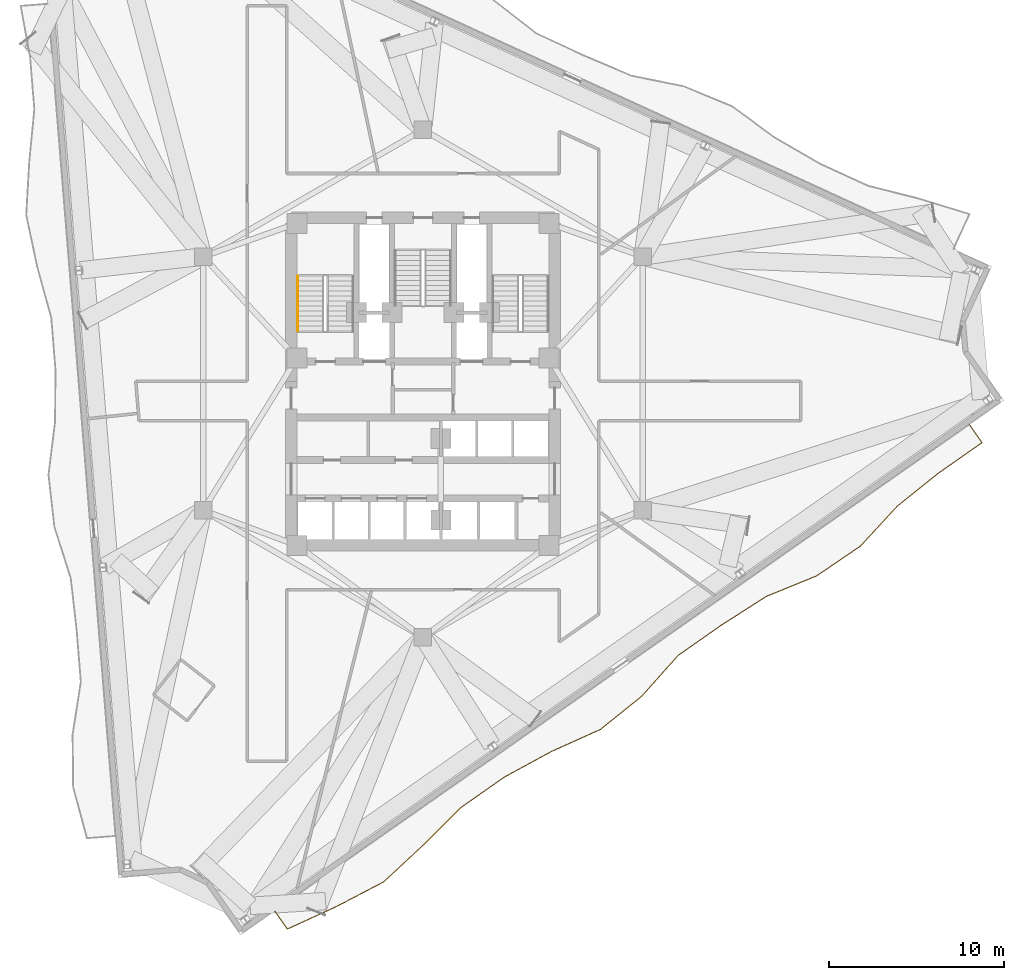
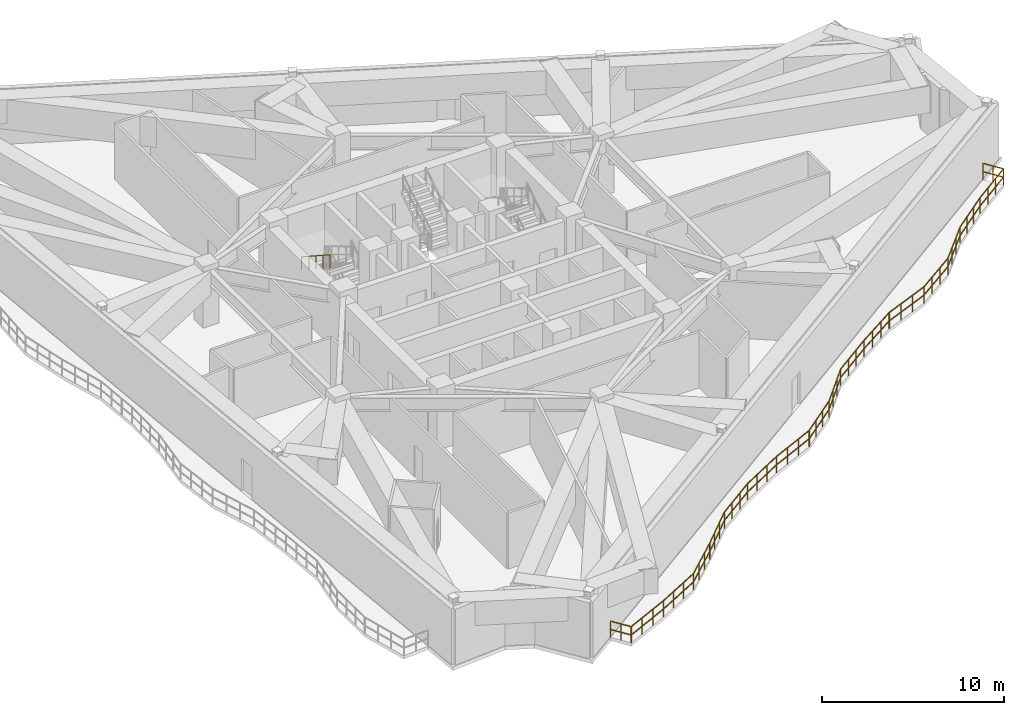
# One storey, part 12 of 14: 2 railings.
"""IFC4 building model written with IfcOpenShell, lengths in metres."""

from ifc_helpers import new_model, si_unit, direction, frame, origin, origin_2d, place, context, subcontext, project, spatial, rectangle, extrude, material, type_object, element, save


model = new_model("IFC4")

# Units and contexts
model_context = context("Model", 3, precision=1e-05, world=origin(), true_north=direction((0.0, 1.0)))
body_context = subcontext(model_context, "Body", "Model", "MODEL_VIEW")
ifc_project = project(units=[si_unit("LENGTHUNIT", "METRE"), si_unit("AREAUNIT", "SQUARE_METRE"), si_unit("VOLUMEUNIT", "CUBIC_METRE"), si_unit("PLANEANGLEUNIT", "RADIAN"), si_unit("MASSUNIT", "GRAM", prefix="KILO")], contexts=[model_context])

# Site, building, storey
site_placement = place(None, origin())
site = spatial("IfcSite", under=ifc_project, at=site_placement, CompositionType="ELEMENT")
building_placement = place(site_placement, origin())
building = spatial("IfcBuilding", under=site, at=building_placement, Name="Apsidion Concourse Tower", CompositionType="ELEMENT")
storey_placement = place(building_placement, frame((0.0, 0.0, 222.89990234375)))
storey = spatial("IfcBuildingStorey", under=building, at=storey_placement, Name="L52", CompositionType="ELEMENT", Elevation=222.89990234375)

# Railings
ifc_material = material(Name="Brushed stainless steel 316", Category="steel")
railing_type_1 = type_object("IfcRailingType", Name="RL-BAL-1120", PredefinedType="BALUSTRADE", material=ifc_material)
railing_1_placement = place(storey_placement, frame((31.23095703125, -2.356689453125, 0.0)))
element("IfcRailing", 1, at=railing_1_placement, inside=storey, type_object=railing_type_1, Name="L52 Face 2 Rippling Balcony Balustrade", PredefinedType="BALUSTRADE", context=body_context, shape_type="SweptSolid", body=[
    extrude(rectangle(XDim=0.048095703125, YDim=0.048095703125, at=origin_2d()), frame((0.0, 0.0, 1.09619140625), z_axis=(0.573619628835, -0.819121798889, 0.0), x_axis=(0.819121798889, 0.573619628835, 0.0)), (0.0, 0.0, 1.0), 1.25),
    extrude(rectangle(XDim=0.048095703125, YDim=0.048095703125, at=origin_2d()), frame((0.0, 0.0, 0.5361328125), z_axis=(0.573619628835, -0.819121798889, 0.0), x_axis=(0.819121798889, 0.573619628835, 0.0)), (0.0, 0.0, 1.0), 1.25),
    extrude(rectangle(XDim=0.048095703125, YDim=0.048095703125, at=origin_2d()), frame((0.717041015625, -1.02392578125, 1.09619140625), z_axis=(-0.819159967158, -0.573565121155, 0.0), x_axis=(0.573565121155, -0.819159967158, 0.0)), (0.0, 0.0, 1.0), 3.029052734375),
    extrude(rectangle(XDim=0.048095703125, YDim=0.048095703125, at=origin_2d()), frame((0.717041015625, -1.02392578125, 0.5361328125), z_axis=(-0.819159967158, -0.573565121155, 0.0), x_axis=(0.573565121155, -0.819159967158, 0.0)), (0.0, 0.0, 1.0), 3.029052734375),
    extrude(rectangle(XDim=0.048095703125, YDim=0.048095703125, at=origin_2d()), frame((-1.76416015625, -2.76123046875, 1.09619140625), z_axis=(-0.780169882579, -0.625567705621, 0.0), x_axis=(0.625567705621, -0.780169882579, 0.0)), (0.0, 0.0, 1.0), 3.03515625),
    extrude(rectangle(XDim=0.048095703125, YDim=0.048095703125, at=origin_2d()), frame((-1.76416015625, -2.76123046875, 0.5361328125), z_axis=(-0.780169882579, -0.625567705621, 0.0), x_axis=(0.625567705621, -0.780169882579, 0.0)), (0.0, 0.0, 1.0), 3.03515625),
    extrude(rectangle(XDim=0.048095703125, YDim=0.048095703125, at=origin_2d()), frame((-4.132080078125, -4.659912109375, 1.09619140625), z_axis=(-0.678188516871, -0.734887974854, 0.0), x_axis=(0.734887974854, -0.678188516871, 0.0)), (0.0, 0.0, 1.0), 3.100341796875),
    extrude(rectangle(XDim=0.048095703125, YDim=0.048095703125, at=origin_2d()), frame((-4.132080078125, -4.659912109375, 0.5361328125), z_axis=(-0.678188516871, -0.734887974854, 0.0), x_axis=(0.734887974854, -0.678188516871, 0.0)), (0.0, 0.0, 1.0), 3.100341796875),
    extrude(rectangle(XDim=0.048095703125, YDim=0.048095703125, at=origin_2d()), frame((-6.234619140625, -6.938232421875, 1.09619140625), z_axis=(-0.826629561615, -0.562746450779, 0.0), x_axis=(0.562746450779, -0.826629561615, 0.0)), (0.0, 0.0, 1.0), 3.029052734375),
    extrude(rectangle(XDim=0.048095703125, YDim=0.048095703125, at=origin_2d()), frame((-6.234619140625, -6.938232421875, 0.5361328125), z_axis=(-0.826629561615, -0.562746450779, 0.0), x_axis=(0.562746450779, -0.826629561615, 0.0)), (0.0, 0.0, 1.0), 3.029052734375),
    extrude(rectangle(XDim=0.048095703125, YDim=0.048095703125, at=origin_2d()), frame((-8.738525390625, -8.642822265625, 1.09619140625), z_axis=(-0.926050654072, -0.377399239655, 0.0), x_axis=(0.377399239655, -0.926050654072, 0.0)), (0.0, 0.0, 1.0), 3.1064453125),
    extrude(rectangle(XDim=0.048095703125, YDim=0.048095703125, at=origin_2d()), frame((-8.738525390625, -8.642822265625, 0.5361328125), z_axis=(-0.926050654072, -0.377399239655, 0.0), x_axis=(0.377399239655, -0.926050654072, 0.0)), (0.0, 0.0, 1.0), 3.1064453125),
    extrude(rectangle(XDim=0.048095703125, YDim=0.048095703125, at=origin_2d()), frame((-11.615234375, -9.815185546875, 1.09619140625), z_axis=(-0.842612010249, -0.538521123247, 0.0), x_axis=(0.538521123247, -0.842612010249, 0.0)), (0.0, 0.0, 1.0), 3.031494140625),
    extrude(rectangle(XDim=0.048095703125, YDim=0.048095703125, at=origin_2d()), frame((-11.615234375, -9.815185546875, 0.5361328125), z_axis=(-0.842612010249, -0.538521123247, 0.0), x_axis=(0.538521123247, -0.842612010249, 0.0)), (0.0, 0.0, 1.0), 3.031494140625),
    extrude(rectangle(XDim=0.048095703125, YDim=0.048095703125, at=origin_2d()), frame((-14.169677734375, -11.44775390625, 1.09619140625), z_axis=(-0.819159967158, -0.573565121155, 0.0), x_axis=(0.573565121155, -0.819159967158, 0.0)), (0.0, 0.0, 1.0), 3.029052734375),
    extrude(rectangle(XDim=0.048095703125, YDim=0.048095703125, at=origin_2d()), frame((-14.169677734375, -11.44775390625, 0.5361328125), z_axis=(-0.819159967158, -0.573565121155, 0.0), x_axis=(0.573565121155, -0.819159967158, 0.0)), (0.0, 0.0, 1.0), 3.029052734375),
    extrude(rectangle(XDim=0.048095703125, YDim=0.048095703125, at=origin_2d()), frame((-16.65087890625, -13.18505859375, 1.09619140625), z_axis=(-0.665264083529, -0.746608129587, 0.0), x_axis=(0.746608129587, -0.665264083529, 0.0)), (0.0, 0.0, 1.0), 3.1123046875),
    extrude(rectangle(XDim=0.048095703125, YDim=0.048095703125, at=origin_2d()), frame((-16.65087890625, -13.18505859375, 0.5361328125), z_axis=(-0.665264083529, -0.746608129587, 0.0), x_axis=(0.746608129587, -0.665264083529, 0.0)), (0.0, 0.0, 1.0), 3.1123046875),
    extrude(rectangle(XDim=0.048095703125, YDim=0.048095703125, at=origin_2d()), frame((-18.721435546875, -15.5087890625, 1.09619140625), z_axis=(-0.779084498727, -0.626918929243, 0.0), x_axis=(0.626918929243, -0.779084498727, 0.0)), (0.0, 0.0, 1.0), 3.03564453125),
    extrude(rectangle(XDim=0.048095703125, YDim=0.048095703125, at=origin_2d()), frame((-18.721435546875, -15.5087890625, 0.5361328125), z_axis=(-0.779084498727, -0.626918929243, 0.0), x_axis=(0.626918929243, -0.779084498727, 0.0)), (0.0, 0.0, 1.0), 3.03564453125),
    extrude(rectangle(XDim=0.048095703125, YDim=0.048095703125, at=origin_2d()), frame((-21.08642578125, -17.411865234375, 1.09619140625), z_axis=(-0.91163679425, -0.410996782675, 0.0), x_axis=(0.410996782675, -0.91163679425, 0.0)), (0.0, 0.0, 1.0), 3.0830078125),
    extrude(rectangle(XDim=0.048095703125, YDim=0.048095703125, at=origin_2d()), frame((-21.08642578125, -17.411865234375, 0.5361328125), z_axis=(-0.91163679425, -0.410996782675, 0.0), x_axis=(0.410996782675, -0.91163679425, 0.0)), (0.0, 0.0, 1.0), 3.0830078125),
    extrude(rectangle(XDim=0.048095703125, YDim=0.048095703125, at=origin_2d()), frame((-23.89697265625, -18.678955078125, 1.09619140625), z_axis=(-0.878674908338, -0.477420575025, 0.0), x_axis=(0.477420575025, -0.878674908338, 0.0)), (0.0, 0.0, 1.0), 3.04833984375),
    extrude(rectangle(XDim=0.048095703125, YDim=0.048095703125, at=origin_2d()), frame((-23.89697265625, -18.678955078125, 0.5361328125), z_axis=(-0.878674908338, -0.477420575025, 0.0), x_axis=(0.477420575025, -0.878674908338, 0.0)), (0.0, 0.0, 1.0), 3.04833984375),
    extrude(rectangle(XDim=0.048095703125, YDim=0.048095703125, at=origin_2d()), frame((-26.575439453125, -20.13427734375, 1.09619140625), z_axis=(-0.819159967158, -0.573565121155, 0.0), x_axis=(0.573565121155, -0.819159967158, 0.0)), (0.0, 0.0, 1.0), 3.029052734375),
    extrude(rectangle(XDim=0.048095703125, YDim=0.048095703125, at=origin_2d()), frame((-26.575439453125, -20.13427734375, 0.5361328125), z_axis=(-0.819159967158, -0.573565121155, 0.0), x_axis=(0.573565121155, -0.819159967158, 0.0)), (0.0, 0.0, 1.0), 3.029052734375),
    extrude(rectangle(XDim=0.048095703125, YDim=0.048095703125, at=origin_2d()), frame((-29.056640625, -21.87158203125, 1.09619140625), z_axis=(-0.708455385263, -0.705755600114, 0.0), x_axis=(0.705755600114, -0.708455385263, 0.0)), (0.0, 0.0, 1.0), 3.07470703125),
    extrude(rectangle(XDim=0.048095703125, YDim=0.048095703125, at=origin_2d()), frame((-29.056640625, -21.87158203125, 0.5361328125), z_axis=(-0.708455385263, -0.705755600114, 0.0), x_axis=(0.705755600114, -0.708455385263, 0.0)), (0.0, 0.0, 1.0), 3.07470703125),
    extrude(rectangle(XDim=0.048095703125, YDim=0.048095703125, at=origin_2d()), frame((-31.23486328125, -24.04150390625, 1.09619140625), z_axis=(-0.732230252599, -0.681057161462, 0.0), x_axis=(0.681057161462, -0.732230252599, 0.0)), (0.0, 0.0, 1.0), 3.05810546875),
    extrude(rectangle(XDim=0.048095703125, YDim=0.048095703125, at=origin_2d()), frame((-31.23486328125, -24.04150390625, 0.5361328125), z_axis=(-0.732230252599, -0.681057161462, 0.0), x_axis=(0.681057161462, -0.732230252599, 0.0)), (0.0, 0.0, 1.0), 3.05810546875),
    extrude(rectangle(XDim=0.048095703125, YDim=0.048095703125, at=origin_2d()), frame((-33.47412109375, -26.124267578125, 1.09619140625), z_axis=(-0.886341014571, -0.463033050537, 0.0), x_axis=(0.463033050537, -0.886341014571, 0.0)), (0.0, 0.0, 1.0), 3.054443359375),
    extrude(rectangle(XDim=0.048095703125, YDim=0.048095703125, at=origin_2d()), frame((-33.47412109375, -26.124267578125, 0.5361328125), z_axis=(-0.886341014571, -0.463033050537, 0.0), x_axis=(0.463033050537, -0.886341014571, 0.0)), (0.0, 0.0, 1.0), 3.054443359375),
    extrude(rectangle(XDim=0.048095703125, YDim=0.048095703125, at=origin_2d()), frame((-36.181396484375, -27.53857421875, 1.09619140625), z_axis=(-0.909189901932, -0.416381702559, 0.0), x_axis=(0.416381702559, -0.909189901932, 0.0)), (0.0, 0.0, 1.0), 3.079345703125),
    extrude(rectangle(XDim=0.048095703125, YDim=0.048095703125, at=origin_2d()), frame((-36.181396484375, -27.53857421875, 0.5361328125), z_axis=(-0.909189901932, -0.416381702559, 0.0), x_axis=(0.416381702559, -0.909189901932, 0.0)), (0.0, 0.0, 1.0), 3.079345703125),
    extrude(rectangle(XDim=0.048095703125, YDim=0.048095703125, at=origin_2d()), frame((-38.981201171875, -28.82080078125, 1.09619140625), z_axis=(-0.573619628835, 0.819121798889, 0.0), x_axis=(-0.819121798889, -0.573619628835, 0.0)), (0.0, 0.0, 1.0), 1.25),
    extrude(rectangle(XDim=0.048095703125, YDim=0.048095703125, at=origin_2d()), frame((-38.981201171875, -28.82080078125, 0.5361328125), z_axis=(-0.573619628835, 0.819121798889, 0.0), x_axis=(-0.819121798889, -0.573619628835, 0.0)), (0.0, 0.0, 1.0), 1.25),
    extrude(rectangle(XDim=0.0419921875, YDim=0.0419921875, at=origin_2d()), origin(), (0.0, 0.0, 1.0), 1.072021484375),
    extrude(rectangle(XDim=0.0419921875, YDim=0.0419921875, at=origin_2d()), frame((0.3583984375, -0.511962890625, 0.0)), (0.0, 0.0, 1.0), 1.072021484375),
    extrude(rectangle(XDim=0.0419921875, YDim=0.0419921875, at=origin_2d()), frame((0.717041015625, -1.02392578125, 0.0)), (0.0, 0.0, 1.0), 1.072021484375),
    extrude(rectangle(XDim=0.0419921875, YDim=0.0419921875, at=origin_2d()), frame((-0.110107421875, -1.60302734375, 0.0)), (0.0, 0.0, 1.0), 1.072021484375),
    extrude(rectangle(XDim=0.0419921875, YDim=0.0419921875, at=origin_2d()), frame((-0.93701171875, -2.18212890625, 0.0)), (0.0, 0.0, 1.0), 1.072021484375),
    extrude(rectangle(XDim=0.0419921875, YDim=0.0419921875, at=origin_2d()), frame((-1.76416015625, -2.76123046875, 0.0)), (0.0, 0.0, 1.0), 1.072021484375),
    extrude(rectangle(XDim=0.0419921875, YDim=0.0419921875, at=origin_2d()), frame((-2.553466796875, -3.39404296875, 0.0)), (0.0, 0.0, 1.0), 1.072021484375),
    extrude(rectangle(XDim=0.0419921875, YDim=0.0419921875, at=origin_2d()), frame((-3.3427734375, -4.027099609375, 0.0)), (0.0, 0.0, 1.0), 1.072021484375),
    extrude(rectangle(XDim=0.0419921875, YDim=0.0419921875, at=origin_2d()), frame((-4.132080078125, -4.659912109375, 0.0)), (0.0, 0.0, 1.0), 1.072021484375),
    extrude(rectangle(XDim=0.0419921875, YDim=0.0419921875, at=origin_2d()), frame((-4.8330078125, -5.41943359375, 0.0)), (0.0, 0.0, 1.0), 1.072021484375),
    extrude(rectangle(XDim=0.0419921875, YDim=0.0419921875, at=origin_2d()), frame((-5.53369140625, -6.1787109375, 0.0)), (0.0, 0.0, 1.0), 1.072021484375),
    extrude(rectangle(XDim=0.0419921875, YDim=0.0419921875, at=origin_2d()), frame((-6.234619140625, -6.938232421875, 0.0)), (0.0, 0.0, 1.0), 1.072021484375),
    extrude(rectangle(XDim=0.0419921875, YDim=0.0419921875, at=origin_2d()), frame((-7.0693359375, -7.50634765625, 0.0)), (0.0, 0.0, 1.0), 1.072021484375),
    extrude(rectangle(XDim=0.0419921875, YDim=0.0419921875, at=origin_2d()), frame((-7.90380859375, -8.07470703125, 0.0)), (0.0, 0.0, 1.0), 1.072021484375),
    extrude(rectangle(XDim=0.0419921875, YDim=0.0419921875, at=origin_2d()), frame((-8.738525390625, -8.642822265625, 0.0)), (0.0, 0.0, 1.0), 1.072021484375),
    extrude(rectangle(XDim=0.0419921875, YDim=0.0419921875, at=origin_2d()), frame((-9.697509765625, -9.03369140625, 0.0)), (0.0, 0.0, 1.0), 1.072021484375),
    extrude(rectangle(XDim=0.0419921875, YDim=0.0419921875, at=origin_2d()), frame((-10.65625, -9.42431640625, 0.0)), (0.0, 0.0, 1.0), 1.072021484375),
    extrude(rectangle(XDim=0.0419921875, YDim=0.0419921875, at=origin_2d()), frame((-11.615234375, -9.815185546875, 0.0)), (0.0, 0.0, 1.0), 1.072021484375),
    extrude(rectangle(XDim=0.0419921875, YDim=0.0419921875, at=origin_2d()), frame((-12.466796875, -10.359375, 0.0)), (0.0, 0.0, 1.0), 1.072021484375),
    extrude(rectangle(XDim=0.0419921875, YDim=0.0419921875, at=origin_2d()), frame((-13.318115234375, -10.903564453125, 0.0)), (0.0, 0.0, 1.0), 1.072021484375),
    extrude(rectangle(XDim=0.0419921875, YDim=0.0419921875, at=origin_2d()), frame((-14.169677734375, -11.44775390625, 0.0)), (0.0, 0.0, 1.0), 1.072021484375),
    extrude(rectangle(XDim=0.0419921875, YDim=0.0419921875, at=origin_2d()), frame((-14.996826171875, -12.02685546875, 0.0)), (0.0, 0.0, 1.0), 1.072021484375),
    extrude(rectangle(XDim=0.0419921875, YDim=0.0419921875, at=origin_2d()), frame((-15.82373046875, -12.60595703125, 0.0)), (0.0, 0.0, 1.0), 1.072021484375),
    extrude(rectangle(XDim=0.0419921875, YDim=0.0419921875, at=origin_2d()), frame((-16.65087890625, -13.18505859375, 0.0)), (0.0, 0.0, 1.0), 1.072021484375),
    extrude(rectangle(XDim=0.0419921875, YDim=0.0419921875, at=origin_2d()), frame((-17.341064453125, -13.959716796875, 0.0)), (0.0, 0.0, 1.0), 1.072021484375),
    extrude(rectangle(XDim=0.0419921875, YDim=0.0419921875, at=origin_2d()), frame((-18.03125, -14.734130859375, 0.0)), (0.0, 0.0, 1.0), 1.072021484375),
    extrude(rectangle(XDim=0.0419921875, YDim=0.0419921875, at=origin_2d()), frame((-18.721435546875, -15.5087890625, 0.0)), (0.0, 0.0, 1.0), 1.072021484375),
    extrude(rectangle(XDim=0.0419921875, YDim=0.0419921875, at=origin_2d()), frame((-19.509765625, -16.14306640625, 0.0)), (0.0, 0.0, 1.0), 1.072021484375),
    extrude(rectangle(XDim=0.0419921875, YDim=0.0419921875, at=origin_2d()), frame((-20.298095703125, -16.777587890625, 0.0)), (0.0, 0.0, 1.0), 1.072021484375),
    extrude(rectangle(XDim=0.0419921875, YDim=0.0419921875, at=origin_2d()), frame((-21.08642578125, -17.411865234375, 0.0)), (0.0, 0.0, 1.0), 1.072021484375),
    extrude(rectangle(XDim=0.0419921875, YDim=0.0419921875, at=origin_2d()), frame((-22.023193359375, -17.834228515625, 0.0)), (0.0, 0.0, 1.0), 1.072021484375),
    extrude(rectangle(XDim=0.0419921875, YDim=0.0419921875, at=origin_2d()), frame((-22.960205078125, -18.256591796875, 0.0)), (0.0, 0.0, 1.0), 1.072021484375),
    extrude(rectangle(XDim=0.0419921875, YDim=0.0419921875, at=origin_2d()), frame((-23.89697265625, -18.678955078125, 0.0)), (0.0, 0.0, 1.0), 1.072021484375),
    extrude(rectangle(XDim=0.0419921875, YDim=0.0419921875, at=origin_2d()), frame((-24.789794921875, -19.1640625, 0.0)), (0.0, 0.0, 1.0), 1.072021484375),
    extrude(rectangle(XDim=0.0419921875, YDim=0.0419921875, at=origin_2d()), frame((-25.6826171875, -19.649169921875, 0.0)), (0.0, 0.0, 1.0), 1.072021484375),
    extrude(rectangle(XDim=0.0419921875, YDim=0.0419921875, at=origin_2d()), frame((-26.575439453125, -20.13427734375, 0.0)), (0.0, 0.0, 1.0), 1.072021484375),
    extrude(rectangle(XDim=0.0419921875, YDim=0.0419921875, at=origin_2d()), frame((-27.402587890625, -20.71337890625, 0.0)), (0.0, 0.0, 1.0), 1.072021484375),
    extrude(rectangle(XDim=0.0419921875, YDim=0.0419921875, at=origin_2d()), frame((-28.2294921875, -21.29248046875, 0.0)), (0.0, 0.0, 1.0), 1.072021484375),
    extrude(rectangle(XDim=0.0419921875, YDim=0.0419921875, at=origin_2d()), frame((-29.056640625, -21.87158203125, 0.0)), (0.0, 0.0, 1.0), 1.072021484375),
    extrude(rectangle(XDim=0.0419921875, YDim=0.0419921875, at=origin_2d()), frame((-29.78271484375, -22.594970703125, 0.0)), (0.0, 0.0, 1.0), 1.072021484375),
    extrude(rectangle(XDim=0.0419921875, YDim=0.0419921875, at=origin_2d()), frame((-30.5087890625, -23.318115234375, 0.0)), (0.0, 0.0, 1.0), 1.072021484375),
    extrude(rectangle(XDim=0.0419921875, YDim=0.0419921875, at=origin_2d()), frame((-31.23486328125, -24.04150390625, 0.0)), (0.0, 0.0, 1.0), 1.072021484375),
    extrude(rectangle(XDim=0.0419921875, YDim=0.0419921875, at=origin_2d()), frame((-31.981201171875, -24.73583984375, 0.0)), (0.0, 0.0, 1.0), 1.072021484375),
    extrude(rectangle(XDim=0.0419921875, YDim=0.0419921875, at=origin_2d()), frame((-32.727783203125, -25.429931640625, 0.0)), (0.0, 0.0, 1.0), 1.072021484375),
    extrude(rectangle(XDim=0.0419921875, YDim=0.0419921875, at=origin_2d()), frame((-33.47412109375, -26.124267578125, 0.0)), (0.0, 0.0, 1.0), 1.072021484375),
    extrude(rectangle(XDim=0.0419921875, YDim=0.0419921875, at=origin_2d()), frame((-34.37646484375, -26.595703125, 0.0)), (0.0, 0.0, 1.0), 1.072021484375),
    extrude(rectangle(XDim=0.0419921875, YDim=0.0419921875, at=origin_2d()), frame((-35.279052734375, -27.067138671875, 0.0)), (0.0, 0.0, 1.0), 1.072021484375),
    extrude(rectangle(XDim=0.0419921875, YDim=0.0419921875, at=origin_2d()), frame((-36.181396484375, -27.53857421875, 0.0)), (0.0, 0.0, 1.0), 1.072021484375),
    extrude(rectangle(XDim=0.0419921875, YDim=0.0419921875, at=origin_2d()), frame((-37.11474609375, -27.966064453125, 0.0)), (0.0, 0.0, 1.0), 1.072021484375),
    extrude(rectangle(XDim=0.0419921875, YDim=0.0419921875, at=origin_2d()), frame((-38.0478515625, -28.393310546875, 0.0)), (0.0, 0.0, 1.0), 1.072021484375),
    extrude(rectangle(XDim=0.0419921875, YDim=0.0419921875, at=origin_2d()), frame((-38.981201171875, -28.82080078125, 0.0)), (0.0, 0.0, 1.0), 1.072021484375),
    extrude(rectangle(XDim=0.0419921875, YDim=0.0419921875, at=origin_2d()), frame((-39.33984375, -28.308837890625, 0.0)), (0.0, 0.0, 1.0), 1.072021484375),
    extrude(rectangle(XDim=0.0419921875, YDim=0.0419921875, at=origin_2d()), frame((-39.6982421875, -27.796875, 0.0)), (0.0, 0.0, 1.0), 1.072021484375),
])
railing_type_2 = type_object("IfcRailingType", Name="RL-HAND-900", PredefinedType="HANDRAIL", material=ifc_material)
railing_2_placement = place(storey_placement, frame((-7.14990234375, 6.135009765625, 2.220947265625)))
element("IfcRailing", 2, at=railing_2_placement, inside=storey, type_object=railing_type_2, Name="L52 ST1 stair handrail 2", PredefinedType="HANDRAIL", context=body_context, shape_type="SweptSolid", body=[
    extrude(rectangle(XDim=0.048095703125, YDim=0.048095703125, at=origin_2d()), frame((0.0, 0.0, 0.8759765625), z_axis=(0.0, -0.836940907821, 0.547293263996), x_axis=(1.0, 0.0, 0.0)), (0.0, 0.0, 1.0), 3.745849609375),
    extrude(rectangle(XDim=0.0419921875, YDim=0.0419921875, at=origin_2d()), origin(), (0.0, 0.0, 1.0), 0.851806640625),
    extrude(rectangle(XDim=0.0419921875, YDim=0.0419921875, at=origin_2d()), frame((0.0, -0.78369140625, 0.512451171875)), (0.0, 0.0, 1.0), 0.851806640625),
    extrude(rectangle(XDim=0.0419921875, YDim=0.0419921875, at=origin_2d()), frame((0.0, -1.5673828125, 1.02490234375)), (0.0, 0.0, 1.0), 0.851806640625),
    extrude(rectangle(XDim=0.0419921875, YDim=0.0419921875, at=origin_2d()), frame((0.0, -2.351318359375, 1.53759765625)), (0.0, 0.0, 1.0), 0.851806640625),
    extrude(rectangle(XDim=0.0419921875, YDim=0.0419921875, at=origin_2d()), frame((0.0, -3.135009765625, 2.050048828125)), (0.0, 0.0, 1.0), 0.851806640625),
])

save(model, "model.ifc")
